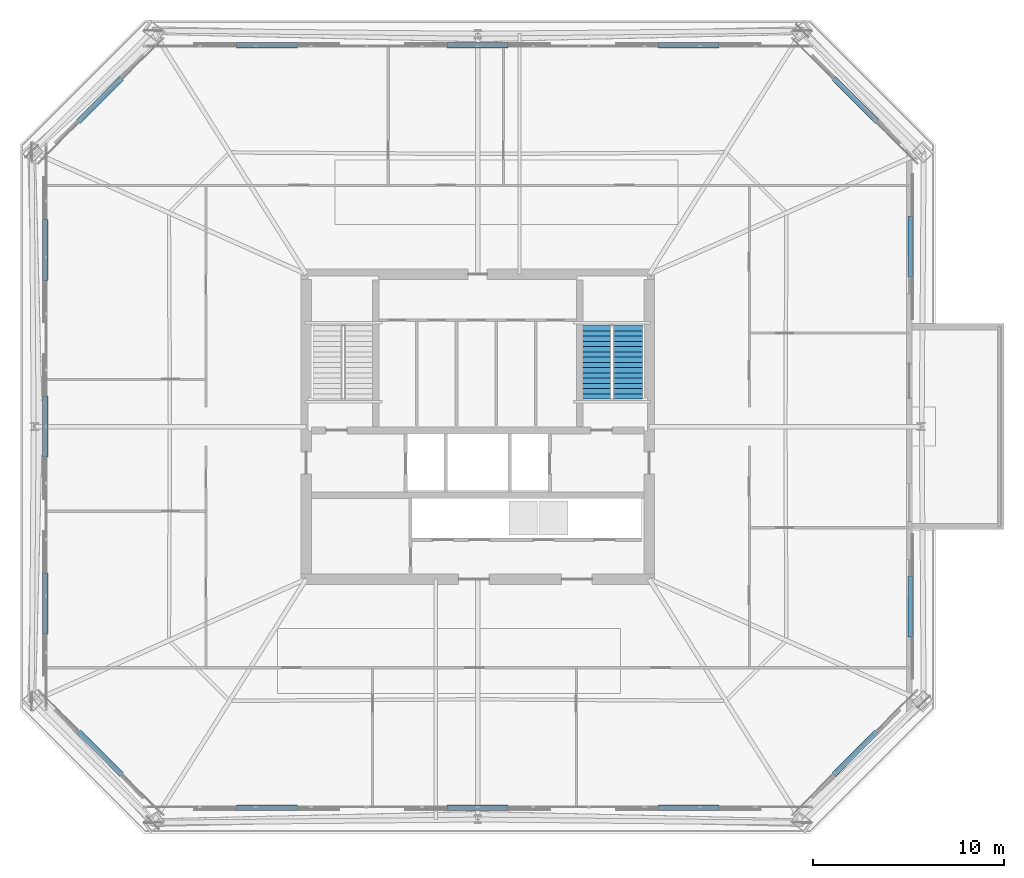
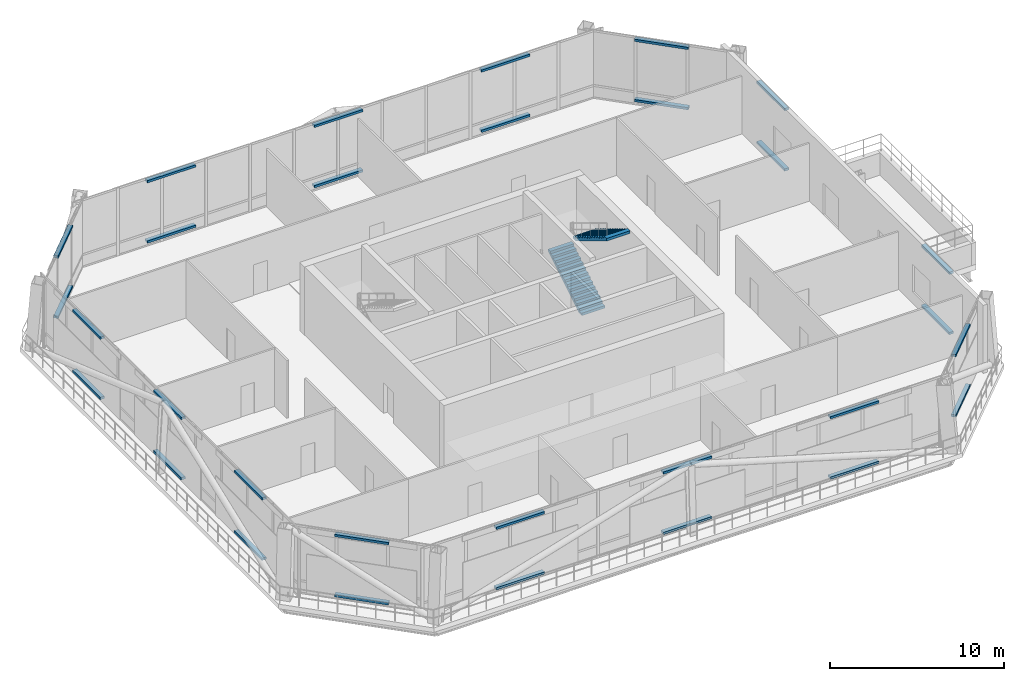
# One storey, part 30 of 34: 30 discrete accessories, 2 stair flights, 1 element without a shape of its own.
"""IFC4 building model written with IfcOpenShell, lengths in metres."""

from ifc_helpers import new_model, si_unit, direction, frame, origin, origin_2d, place, context, subcontext, project, spatial, polyline, rectangle, outline, extrude, material, type_object, element, aggregate, save


model = new_model("IFC4")

# Units and contexts
model_context = context("Model", 3, precision=1e-05, world=origin(), true_north=direction((0.0, 1.0)))
body_context = subcontext(model_context, "Body", "Model", "MODEL_VIEW")
ifc_project = project(units=[si_unit("LENGTHUNIT", "METRE"), si_unit("AREAUNIT", "SQUARE_METRE"), si_unit("VOLUMEUNIT", "CUBIC_METRE"), si_unit("PLANEANGLEUNIT", "RADIAN"), si_unit("MASSUNIT", "GRAM", prefix="KILO")], contexts=[model_context])

# Site, building, storey
site_placement = place(None, origin())
site = spatial("IfcSite", under=ifc_project, at=site_placement, CompositionType="ELEMENT")
building_placement = place(site_placement, origin())
building = spatial("IfcBuilding", under=site, at=building_placement, Name="Caelvoria Tower", CompositionType="ELEMENT")
storey_placement = place(building_placement, frame((0.0, 0.0, 172.0)))
storey = spatial("IfcBuildingStorey", under=building, at=storey_placement, Name="L45", CompositionType="ELEMENT", Elevation=172.0)

# Stair, stair flights
ifc_material_1 = material(Name="Concrete C40/50", Category="concrete")
stair_type = type_object("IfcStairType", Name="Core Smokeproof Dogleg Stair Concrete C40/50", PredefinedType="HALF_TURN_STAIR", material=ifc_material_1)
stair_placement = place(storey_placement, origin())
stair = element("IfcStair", 1, at=stair_placement, inside=storey, type_object=stair_type, Name="ST-02 Smokeproof Exit Stair L45", PredefinedType="HALF_TURN_STAIR")
ifc_material_2 = material(Name="Precast Concrete C40/50", Category="concrete")
stair_flight_type = type_object("IfcStairFlightType", Name="Precast Concrete C40/50 Stair Flight 1480", PredefinedType="STRAIGHT", material=ifc_material_2)
stair_flight_1_placement = place(storey_placement, frame((52.22998046875, 33.449951171875, 0.0), z_axis=(0.0, 0.0, 1.0), x_axis=(0.0, 1.0, 0.0)))
stair_flight_1 = element("IfcStairFlight", 2, at=stair_flight_1_placement, type_object=stair_flight_type, Name="ST-02 flight 1", NumberOfRisers=15, NumberOfTreads=14, PredefinedType="STRAIGHT", RiserHeight=0.1667, TreadLength=0.275, context=body_context, shape_type="SweptSolid", body=[
    extrude(outline(polyline([(0.0, 0.0), (0.0, 0.166748046875), (0.27490234375, 0.166748046875), (0.27490234375, 0.33349609375), (0.550048828125, 0.33349609375), (0.550048828125, 0.5), (0.824951171875, 0.5), (0.824951171875, 0.666748046875), (1.10009765625, 0.666748046875), (1.10009765625, 0.83349609375), (1.375, 0.83349609375), (1.375, 1.000244140625), (1.64990234375, 1.000244140625), (1.64990234375, 1.1669921875), (1.925048828125, 1.1669921875), (1.925048828125, 1.33349609375), (2.199951171875, 1.33349609375), (2.199951171875, 1.500244140625), (2.47509765625, 1.500244140625), (2.47509765625, 1.6669921875), (2.75, 1.6669921875), (2.75, 1.833740234375), (3.02490234375, 1.833740234375), (3.02490234375, 2.00048828125), (3.300048828125, 2.00048828125), (3.300048828125, 2.1669921875), (3.574951171875, 2.1669921875), (3.574951171875, 2.333740234375), (3.85009765625, 2.333740234375), (3.85009765625, 2.50048828125), (3.85009765625, 2.146728515625), (0.30859375, 0.0), (0.0, 0.0)])), frame((0.0, 0.77001953125, 0.0), z_axis=(0.0, -1.0, 0.0), x_axis=(1.0, 0.0, 0.0)), (0.0, 0.0, 1.0), 1.5400390625),
])
stair_flight_2_placement = place(storey_placement, frame((53.8701171875, 37.300048828125, 2.5), z_axis=(0.0, 0.0, 1.0), x_axis=(0.0, -1.0, 0.0)))
stair_flight_2 = element("IfcStairFlight", 3, at=stair_flight_2_placement, type_object=stair_flight_type, Name="ST-02 flight 2", NumberOfRisers=15, NumberOfTreads=14, PredefinedType="STRAIGHT", RiserHeight=0.1667, TreadLength=0.275, context=body_context, shape_type="SweptSolid", body=[
    extrude(outline(polyline([(0.0, 0.0), (0.0, 0.166748046875), (0.27490234375, 0.166748046875), (0.27490234375, 0.33349609375), (0.550048828125, 0.33349609375), (0.550048828125, 0.5), (0.824951171875, 0.5), (0.824951171875, 0.666748046875), (1.10009765625, 0.666748046875), (1.10009765625, 0.83349609375), (1.375, 0.83349609375), (1.375, 1.000244140625), (1.64990234375, 1.000244140625), (1.64990234375, 1.1669921875), (1.925048828125, 1.1669921875), (1.925048828125, 1.33349609375), (2.199951171875, 1.33349609375), (2.199951171875, 1.500244140625), (2.47509765625, 1.500244140625), (2.47509765625, 1.6669921875), (2.75, 1.6669921875), (2.75, 1.833740234375), (3.02490234375, 1.833740234375), (3.02490234375, 2.00048828125), (3.300048828125, 2.00048828125), (3.300048828125, 2.1669921875), (3.574951171875, 2.1669921875), (3.574951171875, 2.333740234375), (3.85009765625, 2.333740234375), (3.85009765625, 2.50048828125), (3.85009765625, 2.146728515625), (0.30859375, 0.0), (0.0, 0.0)])), frame((0.0, 0.77001953125, 0.0), z_axis=(0.0, -1.0, 0.0), x_axis=(1.0, 0.0, 0.0)), (0.0, 0.0, 1.0), 1.5400390625),
])
aggregate(stair, [stair_flight_1, stair_flight_2])

# Discrete accessories
ifc_material_3 = material(Name="Anodised Bronze Stainless Bracket", Category="bronze")
discrete_accessory_type = type_object("IfcDiscreteAccessoryType", Name="Solar Screen Outrigger Support Bracket", PredefinedType="BRACKET", material=ifc_material_3)
for number, where, z_axis, x_axis, name in (
    (4, (34.933349609375, 11.990478515625, 0.240234375), (0.0, 0.0, 1.0), (1.0, 0.0, 0.0), "Solar Screen Bracket L45-E0-00"),
    (5, (34.933349609375, 11.990478515625, 4.4599609375), (0.0, 0.0, 1.0), (1.0, 0.0, 0.0), "Upper Screen Band Bracket L45-E0-00"),
    (6, (46.0, 11.990478515625, 0.240234375), (0.0, 0.0, 1.0), (1.0, 0.0, 0.0), "Solar Screen Bracket L45-E0-01"),
    (7, (46.0, 11.990478515625, 4.4599609375), (0.0, 0.0, 1.0), (1.0, 0.0, 0.0), "Upper Screen Band Bracket L45-E0-01"),
    (8, (57.066650390625, 11.990478515625, 0.240234375), (0.0, 0.0, 1.0), (1.0, 0.0, 0.0), "Solar Screen Bracket L45-E0-02"),
    (9, (57.066650390625, 11.990478515625, 4.4599609375), (0.0, 0.0, 1.0), (1.0, 0.0, 0.0), "Upper Screen Band Bracket L45-E0-02"),
    (10, (65.819091796875, 14.86083984375, 0.240234375), (0.0, 0.0, 1.0), (0.707106781187, 0.707106781187, 0.0), "Solar Screen Bracket L45-E1-00"),
    (11, (65.819091796875, 14.86083984375, 4.4599609375), (0.0, 0.0, 1.0), (0.707106781187, 0.707106781187, 0.0), "Upper Screen Band Bracket L45-E1-00"),
    (12, (68.717041015625, 22.56005859375, 0.240234375), (0.0, 0.0, 1.0), (0.0, 1.0, 0.0), "Solar Screen Bracket L45-E2-00"),
    (13, (68.717041015625, 22.56005859375, 4.4599609375), (0.0, 0.0, 1.0), (0.0, 1.0, 0.0), "Upper Screen Band Bracket L45-E2-00"),
    (14, (68.717041015625, 41.43994140625, 0.240234375), (0.0, 0.0, 1.0), (0.0, 1.0, 0.0), "Solar Screen Bracket L45-E2-02"),
    (15, (68.717041015625, 41.43994140625, 4.4599609375), (0.0, 0.0, 1.0), (0.0, 1.0, 0.0), "Upper Screen Band Bracket L45-E2-02"),
    (16, (65.819091796875, 49.13916015625, 0.240234375), (0.0, 0.0, 1.0), (-0.707106781187, 0.707106781187, 0.0), "Solar Screen Bracket L45-E3-00"),
    (17, (65.819091796875, 49.13916015625, 4.4599609375), (0.0, 0.0, 1.0), (-0.707106781187, 0.707106781187, 0.0), "Upper Screen Band Bracket L45-E3-00"),
    (18, (57.066650390625, 52.009521484375, 0.240234375), (0.0, 0.0, 1.0), (-1.0, 0.0, 0.0), "Solar Screen Bracket L45-E4-00"),
    (19, (57.066650390625, 52.009521484375, 4.4599609375), (0.0, 0.0, 1.0), (-1.0, 0.0, 0.0), "Upper Screen Band Bracket L45-E4-00"),
    (20, (46.0, 52.009521484375, 0.240234375), (0.0, 0.0, 1.0), (-1.0, 0.0, 0.0), "Solar Screen Bracket L45-E4-01"),
    (21, (46.0, 52.009521484375, 4.4599609375), (0.0, 0.0, 1.0), (-1.0, 0.0, 0.0), "Upper Screen Band Bracket L45-E4-01"),
    (22, (34.933349609375, 52.009521484375, 0.240234375), (0.0, 0.0, 1.0), (-1.0, 0.0, 0.0), "Solar Screen Bracket L45-E4-02"),
    (23, (34.933349609375, 52.009521484375, 4.4599609375), (0.0, 0.0, 1.0), (-1.0, 0.0, 0.0), "Upper Screen Band Bracket L45-E4-02"),
    (24, (26.180908203125, 49.13916015625, 0.240234375), (0.0, 0.0, 1.0), (-0.707106781187, -0.707106781187, 0.0), "Solar Screen Bracket L45-E5-00"),
    (25, (26.180908203125, 49.13916015625, 4.4599609375), (0.0, 0.0, 1.0), (-0.707106781187, -0.707106781187, 0.0), "Upper Screen Band Bracket L45-E5-00"),
    (26, (23.310546875, 41.280029296875, 0.240234375), (0.0, 0.0, 1.0), (0.0, -1.0, 0.0), "Solar Screen Bracket L45-E6-00"),
    (27, (23.310546875, 41.280029296875, 4.4599609375), (0.0, 0.0, 1.0), (0.0, -1.0, 0.0), "Upper Screen Band Bracket L45-E6-00"),
    (28, (23.310546875, 32.0, 0.240234375), (0.0, 0.0, 1.0), (0.0, -1.0, 0.0), "Solar Screen Bracket L45-E6-01"),
    (29, (23.310546875, 32.0, 4.4599609375), (0.0, 0.0, 1.0), (0.0, -1.0, 0.0), "Upper Screen Band Bracket L45-E6-01"),
    (30, (23.310546875, 22.719970703125, 0.240234375), (0.0, 0.0, 1.0), (0.0, -1.0, 0.0), "Solar Screen Bracket L45-E6-02"),
    (31, (23.310546875, 22.719970703125, 4.4599609375), (0.0, 0.0, 1.0), (0.0, -1.0, 0.0), "Upper Screen Band Bracket L45-E6-02"),
    (32, (26.180908203125, 14.86083984375, 0.240234375), (0.0, 0.0, 1.0), (0.707106781187, -0.707106781187, 0.0), "Solar Screen Bracket L45-E7-00"),
    (33, (26.180908203125, 14.86083984375, 4.4599609375), (0.0, 0.0, 1.0), (0.707106781187, -0.707106781187, 0.0), "Upper Screen Band Bracket L45-E7-00"),
):
    element("IfcDiscreteAccessory", number, at=place(storey_placement, frame(where, z_axis=z_axis, x_axis=x_axis)), inside=storey, type_object=discrete_accessory_type, Name=name, PredefinedType="BRACKET", context=body_context, shape_type="SweptSolid", body=[
        extrude(rectangle(XDim=3.199951171875, YDim=0.280029296875, at=origin_2d()), origin(), (0.0, 0.0, 1.0), 0.159912109375),
    ])

save(model, "model.ifc")
